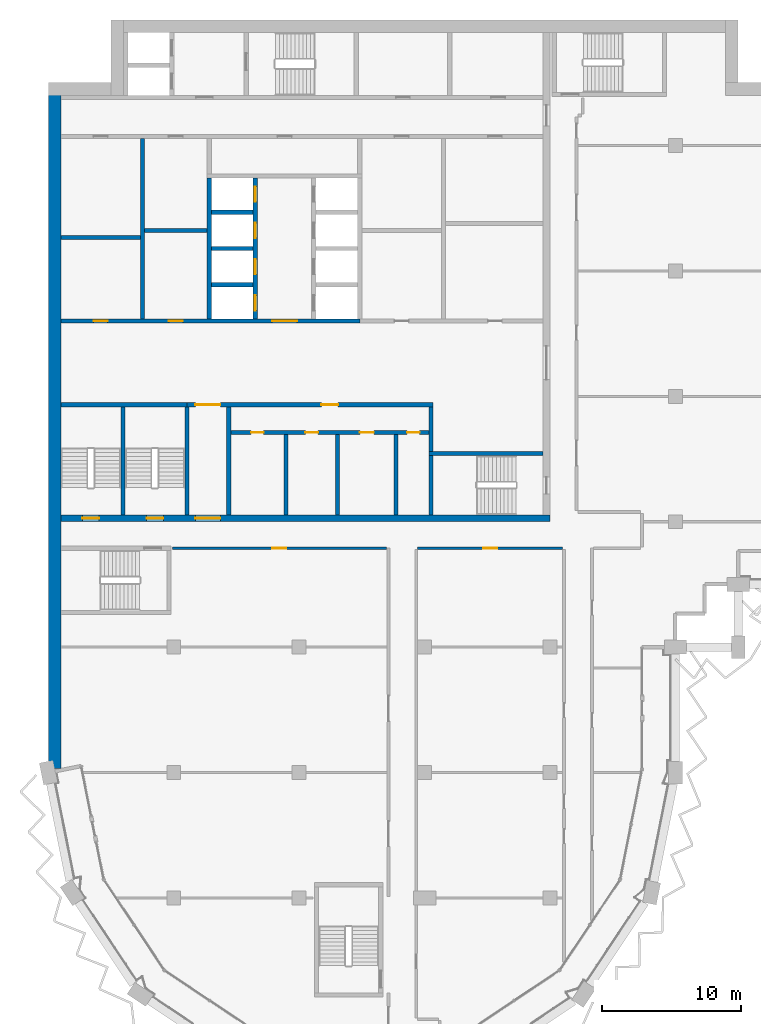
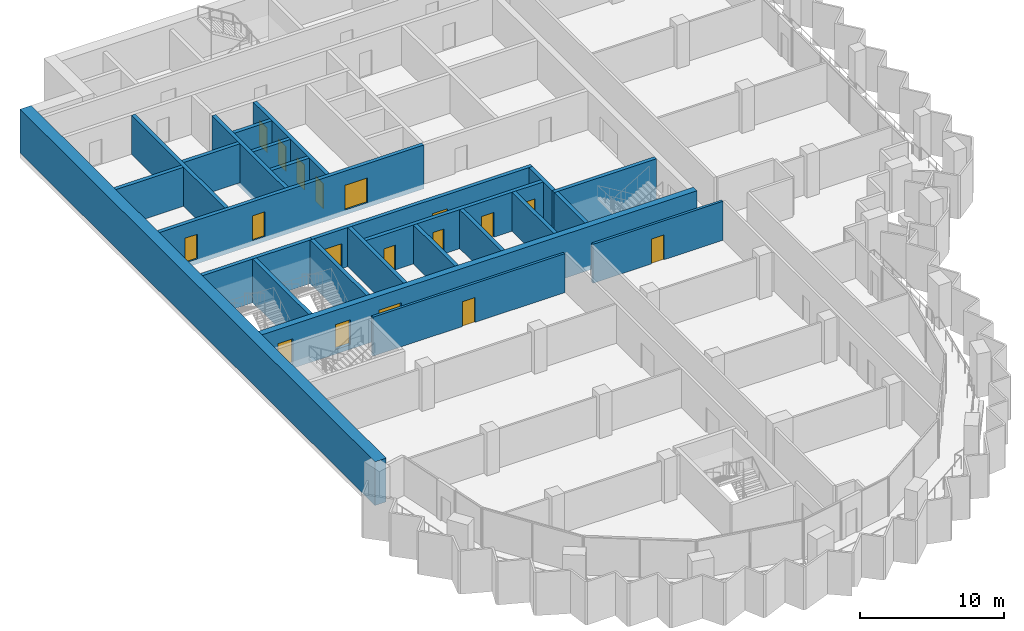
# One storey, part 8 of 16: 25 walls, 18 doors, 18 openings.
"""IFC4 building model written with IfcOpenShell, lengths in metres."""

from ifc_helpers import new_model, si_unit, direction, frame, frame_2d, origin, place, context, subcontext, project, spatial, rectangle, extrude, material, layer, layer_set, type_object, element, fill, save


model = new_model("IFC4")

# Units and contexts
model_context = context("Model", 3, precision=1e-05, world=origin(), true_north=direction((0.0, 1.0)))
body_context = subcontext(model_context, "Body", "Model", "MODEL_VIEW")
ifc_project = project(units=[si_unit("LENGTHUNIT", "METRE"), si_unit("AREAUNIT", "SQUARE_METRE"), si_unit("VOLUMEUNIT", "CUBIC_METRE"), si_unit("PLANEANGLEUNIT", "RADIAN"), si_unit("MASSUNIT", "GRAM", prefix="KILO")], contexts=[model_context])

# Site, building, storey
site_placement = place(None, origin())
site = spatial("IfcSite", under=ifc_project, at=site_placement, CompositionType="ELEMENT")
building_placement = place(site_placement, origin())
building = spatial("IfcBuilding", under=site, at=building_placement, Name="Hunhe Ridgeline Campus", CompositionType="ELEMENT")
storey_placement = place(building_placement, frame((0.0, 0.0, 235.5)))
storey = spatial("IfcBuildingStorey", under=building, at=storey_placement, Name="L60", CompositionType="ELEMENT", Elevation=235.5)

# Wall, openings, doors
ifc_material_1 = material(Name="Masonry concrete blockwork", Category="masonry")
ifc_layer_1 = layer(ifc_material_1, 0.300048828125)
ifc_layer_set_1 = layer_set([ifc_layer_1], Name="Core room partition 300 concrete block")
wall_type_1 = type_object("IfcWallType", Name="Core room partition 300 concrete block", PredefinedType="PARTITIONING", material=ifc_layer_set_1)
wall_1_placement = place(storey_placement, frame((13.10009765625, 69.39990234375, 0.0), z_axis=(0.0, 0.0, 1.0), x_axis=(1.0, 0.0, 0.0)))
wall_1 = element("IfcWall", 1, at=wall_1_placement, inside=storey, type_object=wall_type_1, Name="L60 core partition 7", PredefinedType="PARTITIONING", context=body_context, shape_type="SweptSolid", body=[
    extrude(rectangle(XDim=14.199951171875, YDim=0.300048828125, at=frame_2d((7.10009765625, 0.0))), origin(), (0.0, 0.0, 1.0), 3.300048828125),
])
opening_1_placement = place(wall_1_placement, frame((1.449951171875, 0.0, 0.0)))
opening_1 = element("IfcOpeningElement", 2, at=opening_1_placement, cuts=wall_1, Name="Opening CD8", PredefinedType="OPENING", context=body_context, shape_type="SweptSolid", body=[
    extrude(rectangle(XDim=0.89990234375, YDim=2.10009765625, at=frame_2d((0.449951171875, 1.050048828125))), frame((0.0, 0.14990234375, 0.0), z_axis=(0.0, -1.0, 0.0), x_axis=(1.0, 0.0, 0.0)), (0.0, 0.0, 1.0), 0.300048828125),
])
opening_2_placement = place(wall_1_placement, frame((5.35009765625, 0.0, 0.0)))
opening_2 = element("IfcOpeningElement", 3, at=opening_2_placement, cuts=wall_1, Name="Opening CD9", PredefinedType="OPENING", context=body_context, shape_type="SweptSolid", body=[
    extrude(rectangle(XDim=0.89990234375, YDim=2.10009765625, at=frame_2d((0.449951171875, 1.050048828125))), frame((0.0, 0.14990234375, 0.0), z_axis=(0.0, -1.0, 0.0), x_axis=(1.0, 0.0, 0.0)), (0.0, 0.0, 1.0), 0.300048828125),
])
opening_3_placement = place(wall_1_placement, frame((9.25, 0.0, 0.0)))
opening_3 = element("IfcOpeningElement", 4, at=opening_3_placement, cuts=wall_1, Name="Opening CD10", PredefinedType="OPENING", context=body_context, shape_type="SweptSolid", body=[
    extrude(rectangle(XDim=1.0, YDim=2.10009765625, at=frame_2d((0.5, 1.050048828125))), frame((0.0, 0.14990234375, 0.0), z_axis=(0.0, -1.0, 0.0), x_axis=(1.0, 0.0, 0.0)), (0.0, 0.0, 1.0), 0.300048828125),
])
opening_4_placement = place(wall_1_placement, frame((12.64990234375, 0.0, 0.0)))
opening_4 = element("IfcOpeningElement", 5, at=opening_4_placement, cuts=wall_1, Name="Opening CD11", PredefinedType="OPENING", context=body_context, shape_type="SweptSolid", body=[
    extrude(rectangle(XDim=0.89990234375, YDim=2.10009765625, at=frame_2d((0.449951171875, 1.050048828125))), frame((0.0, 0.14990234375, 0.0), z_axis=(0.0, -1.0, 0.0), x_axis=(1.0, 0.0, 0.0)), (0.0, 0.0, 1.0), 0.300048828125),
])
ifc_material_2 = material(Name="Solid core timber door leaf", Category="wood")
door_type_1 = type_object("IfcDoorType", Name="Timber door 1000x2100", OperationType="SINGLE_SWING_LEFT", PredefinedType="DOOR", material=ifc_material_2)
door_1_placement = place(opening_3_placement, frame((1.0, 0.0, 0.0), z_axis=(0.0, 0.0, 1.0), x_axis=(-1.0, 0.0, 0.0)))
door_1 = element("IfcDoor", 6, at=door_1_placement, inside=storey, type_object=door_type_1, Name="L60 door WC3", OperationType="SINGLE_SWING_LEFT", OverallHeight=2.10009765625, OverallWidth=1.0, PredefinedType="DOOR", context=body_context, shape_type="SweptSolid", body=[
    extrude(rectangle(XDim=1.0, YDim=2.10009765625, at=frame_2d((0.5, 1.050048828125))), frame((0.0, 0.02490234375, 0.0), z_axis=(0.0, -1.0, 0.0), x_axis=(1.0, 0.0, 0.0)), (0.0, 0.0, 1.0), 0.050048828125),
])
fill(opening_3, door_1)
door_type_2 = type_object("IfcDoorType", Name="Timber door 900x2100", OperationType="SINGLE_SWING_LEFT", PredefinedType="DOOR", material=ifc_material_2)
door_2_placement = place(opening_1_placement, frame((0.89990234375, 0.0, 0.0), z_axis=(0.0, 0.0, 1.0), x_axis=(-1.0, 0.0, 0.0)))
door_2 = element("IfcDoor", 7, at=door_2_placement, inside=storey, type_object=door_type_2, Name="L60 door WC1", OperationType="SINGLE_SWING_LEFT", OverallHeight=2.10009765625, OverallWidth=0.89990234375, PredefinedType="DOOR", context=body_context, shape_type="SweptSolid", body=[
    extrude(rectangle(XDim=0.89990234375, YDim=2.10009765625, at=frame_2d((0.449951171875, 1.050048828125))), frame((0.0, 0.02490234375, 0.0), z_axis=(0.0, -1.0, 0.0), x_axis=(1.0, 0.0, 0.0)), (0.0, 0.0, 1.0), 0.050048828125),
])
fill(opening_1, door_2)
door_3_placement = place(opening_2_placement, frame((0.89990234375, 0.0, 0.0), z_axis=(0.0, 0.0, 1.0), x_axis=(-1.0, 0.0, 0.0)))
door_3 = element("IfcDoor", 8, at=door_3_placement, inside=storey, type_object=door_type_2, Name="L60 door WC2", OperationType="SINGLE_SWING_RIGHT", OverallHeight=2.10009765625, OverallWidth=0.89990234375, PredefinedType="DOOR", context=body_context, shape_type="SweptSolid", body=[
    extrude(rectangle(XDim=0.89990234375, YDim=2.10009765625, at=frame_2d((0.449951171875, 1.050048828125))), frame((0.0, 0.02490234375, 0.0), z_axis=(0.0, -1.0, 0.0), x_axis=(1.0, 0.0, 0.0)), (0.0, 0.0, 1.0), 0.050048828125),
])
fill(opening_2, door_3)
door_4_placement = place(opening_4_placement, frame((0.89990234375, 0.0, 0.0), z_axis=(0.0, 0.0, 1.0), x_axis=(-1.0, 0.0, 0.0)))
door_4 = element("IfcDoor", 9, at=door_4_placement, inside=storey, type_object=door_type_2, Name="L60 door WC4", OperationType="SINGLE_SWING_RIGHT", OverallHeight=2.10009765625, OverallWidth=0.89990234375, PredefinedType="DOOR", context=body_context, shape_type="SweptSolid", body=[
    extrude(rectangle(XDim=0.89990234375, YDim=2.10009765625, at=frame_2d((0.449951171875, 1.050048828125))), frame((0.0, 0.02490234375, 0.0), z_axis=(0.0, -1.0, 0.0), x_axis=(1.0, 0.0, 0.0)), (0.0, 0.0, 1.0), 0.050048828125),
])
fill(opening_4, door_4)

wall_2_placement = place(storey_placement, frame((9.949951171875, 71.39990234375, 0.0), z_axis=(0.0, 0.0, 1.0), x_axis=(1.0, 0.0, 0.0)))
wall_2 = element("IfcWall", 10, at=wall_2_placement, inside=storey, type_object=wall_type_1, Name="L60 core partition 9", PredefinedType="PARTITIONING", context=body_context, shape_type="SweptSolid", body=[
    extrude(rectangle(XDim=17.650146484375, YDim=0.300048828125, at=frame_2d((8.8251953125, 0.0))), origin(), (0.0, 0.0, 1.0), 3.300048828125),
])
opening_5_placement = place(wall_2_placement, frame((0.60009765625, 0.0, 0.0)))
opening_5 = element("IfcOpeningElement", 11, at=opening_5_placement, cuts=wall_2, Name="Opening CD7", PredefinedType="OPENING", context=body_context, shape_type="SweptSolid", body=[
    extrude(rectangle(XDim=1.800048828125, YDim=2.10009765625, at=frame_2d((0.89990234375, 1.050048828125))), frame((0.0, 0.14990234375, 0.0), z_axis=(0.0, -1.0, 0.0), x_axis=(1.0, 0.0, 0.0)), (0.0, 0.0, 1.0), 0.300048828125),
])
opening_6_placement = place(wall_2_placement, frame((9.64990234375, 0.0, 0.0)))
opening_6 = element("IfcOpeningElement", 12, at=opening_6_placement, cuts=wall_2, Name="Opening CD12", PredefinedType="OPENING", context=body_context, shape_type="SweptSolid", body=[
    extrude(rectangle(XDim=1.199951171875, YDim=2.10009765625, at=frame_2d((0.60009765625, 1.050048828125))), frame((0.0, 0.14990234375, 0.0), z_axis=(0.0, -1.0, 0.0), x_axis=(1.0, 0.0, 0.0)), (0.0, 0.0, 1.0), 0.300048828125),
])
ifc_material_3 = material(Name="Anodised aluminium and glass", Category="aluminium")
door_type_3 = type_object("IfcDoorType", Name="Glazed double door 1800x2100", OperationType="DOUBLE_DOOR_SINGLE_SWING", PredefinedType="DOOR", material=ifc_material_3)
door_5_placement = place(opening_5_placement, origin())
door_5 = element("IfcDoor", 13, at=door_5_placement, inside=storey, type_object=door_type_3, Name="L60 door VEST-HALL", OperationType="DOUBLE_DOOR_SINGLE_SWING", OverallHeight=2.10009765625, OverallWidth=1.800048828125, PredefinedType="DOOR", context=body_context, shape_type="SweptSolid", body=[
    extrude(rectangle(XDim=1.800048828125, YDim=2.10009765625, at=frame_2d((0.89990234375, 1.050048828125))), frame((0.0, 0.02490234375, 0.0), z_axis=(0.0, -1.0, 0.0), x_axis=(1.0, 0.0, 0.0)), (0.0, 0.0, 1.0), 0.050048828125),
])
fill(opening_5, door_5)
door_type_4 = type_object("IfcDoorType", Name="Timber door 1200x2100", OperationType="SINGLE_SWING_LEFT", PredefinedType="DOOR", material=ifc_material_2)
door_6_placement = place(opening_6_placement, origin())
door_6 = element("IfcDoor", 14, at=door_6_placement, inside=storey, type_object=door_type_4, Name="L60 door WCL2-HALL", OperationType="SINGLE_SWING_RIGHT", OverallHeight=2.10009765625, OverallWidth=1.199951171875, PredefinedType="DOOR", context=body_context, shape_type="SweptSolid", body=[
    extrude(rectangle(XDim=1.199951171875, YDim=2.10009765625, at=frame_2d((0.60009765625, 1.050048828125))), frame((0.0, 0.02490234375, 0.0), z_axis=(0.0, -1.0, 0.0), x_axis=(1.0, 0.0, 0.0)), (0.0, 0.0, 1.0), 0.050048828125),
])
fill(opening_6, door_6)

# Walls
wall_3_placement = place(storey_placement, frame((0.89990234375, 83.39990234375, 0.0), z_axis=(0.0, 0.0, 1.0), x_axis=(1.0, 0.0, 0.0)))
element("IfcWall", 15, at=wall_3_placement, inside=storey, type_object=wall_type_1, Name="L60 core partition 16", PredefinedType="PARTITIONING", context=body_context, shape_type="SweptSolid", body=[
    extrude(rectangle(XDim=5.7001953125, YDim=0.300048828125, at=frame_2d((2.85009765625, 0.0))), origin(), (0.0, 0.0, 1.0), 3.300048828125),
])
wall_4_placement = place(storey_placement, frame((6.89990234375, 83.89990234375, 0.0), z_axis=(0.0, 0.0, 1.0), x_axis=(1.0, 0.0, 0.0)))
element("IfcWall", 16, at=wall_4_placement, inside=storey, type_object=wall_type_1, Name="L60 core partition 17", PredefinedType="PARTITIONING", context=body_context, shape_type="SweptSolid", body=[
    extrude(rectangle(XDim=4.5, YDim=0.300048828125, at=frame_2d((2.25, 0.0))), origin(), (0.0, 0.0, 1.0), 3.300048828125),
])
wall_5_placement = place(storey_placement, frame((6.75, 77.550048828125, 0.0), z_axis=(0.0, 0.0, 1.0), x_axis=(0.0, 1.0, 0.0)))
element("IfcWall", 17, at=wall_5_placement, inside=storey, type_object=wall_type_1, Name="L60 core partition 29", PredefinedType="PARTITIONING", context=body_context, shape_type="SweptSolid", body=[
    extrude(rectangle(XDim=12.949951171875, YDim=0.300048828125, at=frame_2d((6.47509765625, 0.0))), origin(), (0.0, 0.0, 1.0), 3.300048828125),
])
wall_6_placement = place(storey_placement, frame((12.949951171875, 63.5, 0.0), z_axis=(0.0, 0.0, 1.0), x_axis=(0.0, 1.0, 0.0)))
element("IfcWall", 18, at=wall_6_placement, inside=storey, type_object=wall_type_1, Name="L60 core partition 35", PredefinedType="PARTITIONING", context=body_context, shape_type="SweptSolid", body=[
    extrude(rectangle(XDim=7.75, YDim=0.300048828125, at=frame_2d((3.875, 0.0))), origin(), (0.0, 0.0, 1.0), 3.300048828125),
])
for number, where, z_axis, x_axis, name in (
    (19, (17.050048828125, 63.5, 0.0), (0.0, 0.0, 1.0), (0.0, 1.0, 0.0), "L60 core partition 38"),
    (20, (20.75, 63.5, 0.0), (0.0, 0.0, 1.0), (0.0, 1.0, 0.0), "L60 core partition 41"),
    (21, (24.949951171875, 63.5, 0.0), (0.0, 0.0, 1.0), (0.0, 1.0, 0.0), "L60 core partition 46"),
):
    element("IfcWall", number, at=place(storey_placement, frame(where, z_axis=z_axis, x_axis=x_axis)), inside=storey, type_object=wall_type_1, Name=name, PredefinedType="PARTITIONING", context=body_context, shape_type="SweptSolid", body=[
        extrude(rectangle(XDim=5.75, YDim=0.300048828125, at=frame_2d((2.875, 0.0))), origin(), (0.0, 0.0, 1.0), 3.300048828125),
    ])
wall_7_placement = place(storey_placement, frame((27.449951171875, 68.050048828125, 0.0), z_axis=(0.0, 0.0, 1.0), x_axis=(0.0, 1.0, 0.0)))
element("IfcWall", 22, at=wall_7_placement, inside=storey, type_object=wall_type_1, Name="L60 core partition 48", PredefinedType="PARTITIONING", context=body_context, shape_type="SweptSolid", body=[
    extrude(rectangle(XDim=3.199951171875, YDim=0.300048828125, at=frame_2d((1.60009765625, 0.0))), origin(), (0.0, 0.0, 1.0), 3.300048828125),
])

# Wall, openings, doors
ifc_material_4 = material(Name="Concrete C50", Category="concrete")
ifc_layer_2 = layer(ifc_material_4, 0.5)
ifc_layer_set_2 = layer_set([ifc_layer_2], Name="Core wall 500 reinforced concrete C50")
wall_type_2 = type_object("IfcWallType", Name="Core wall 500 reinforced concrete C50", PredefinedType="SOLIDWALL", material=ifc_layer_set_2)
wall_8_placement = place(storey_placement, frame((0.89990234375, 63.25, -0.39990234375), z_axis=(0.0, 0.0, 1.0), x_axis=(1.0, 0.0, 0.0)))
wall_8 = element("IfcWall", 23, at=wall_8_placement, inside=storey, type_object=wall_type_2, Name="L60 core wall 5", PredefinedType="SOLIDWALL", context=body_context, shape_type="SweptSolid", body=[
    extrude(rectangle(XDim=35.10009765625, YDim=0.5, at=frame_2d((17.550048828125, 0.0))), origin(), (0.0, 0.0, 1.0), 3.699951171875),
])
opening_7_placement = place(wall_8_placement, frame((9.64990234375, 0.0, 0.39990234375)))
opening_7 = element("IfcOpeningElement", 24, at=opening_7_placement, cuts=wall_8, Name="Opening CD6", PredefinedType="OPENING", context=body_context, shape_type="SweptSolid", body=[
    extrude(rectangle(XDim=1.800048828125, YDim=2.10009765625, at=frame_2d((0.89990234375, 1.050048828125))), frame((0.0, 0.25, 0.0), z_axis=(0.0, -1.0, 0.0), x_axis=(1.0, 0.0, 0.0)), (0.0, 0.0, 1.0), 0.5),
])
opening_8_placement = place(wall_8_placement, frame((1.550048828125, 0.0, 0.39990234375)))
opening_8 = element("IfcOpeningElement", 25, at=opening_8_placement, cuts=wall_8, Name="Opening CD13", PredefinedType="OPENING", context=body_context, shape_type="SweptSolid", body=[
    extrude(rectangle(XDim=1.199951171875, YDim=2.10009765625, at=frame_2d((0.60009765625, 1.050048828125))), frame((0.0, 0.25, 0.0), z_axis=(0.0, -1.0, 0.0), x_axis=(1.0, 0.0, 0.0)), (0.0, 0.0, 1.0), 0.5),
])
opening_9_placement = place(wall_8_placement, frame((6.14990234375, 0.0, 0.39990234375)))
opening_9 = element("IfcOpeningElement", 26, at=opening_9_placement, cuts=wall_8, Name="Opening CD14", PredefinedType="OPENING", context=body_context, shape_type="SweptSolid", body=[
    extrude(rectangle(XDim=1.199951171875, YDim=2.10009765625, at=frame_2d((0.60009765625, 1.050048828125))), frame((0.0, 0.25, 0.0), z_axis=(0.0, -1.0, 0.0), x_axis=(1.0, 0.0, 0.0)), (0.0, 0.0, 1.0), 0.5),
])
door_7_placement = place(opening_7_placement, frame((1.800048828125, 0.0, 0.0), z_axis=(0.0, 0.0, 1.0), x_axis=(-1.0, 0.0, 0.0)))
door_7 = element("IfcDoor", 27, at=door_7_placement, inside=storey, type_object=door_type_3, Name="L60 door VEST-FLOOR", OperationType="DOUBLE_DOOR_SINGLE_SWING", OverallHeight=2.10009765625, OverallWidth=1.800048828125, PredefinedType="DOOR", context=body_context, shape_type="SweptSolid", body=[
    extrude(rectangle(XDim=1.800048828125, YDim=2.10009765625, at=frame_2d((0.89990234375, 1.050048828125))), frame((0.0, 0.02490234375, 0.0), z_axis=(0.0, -1.0, 0.0), x_axis=(1.0, 0.0, 0.0)), (0.0, 0.0, 1.0), 0.050048828125),
])
fill(opening_7, door_7)
ifc_material_5 = material(Name="Hollow metal fire door leaf")
door_type_5 = type_object("IfcDoorType", Name="Stair door 1200x2100 FD60", OperationType="SINGLE_SWING_LEFT", PredefinedType="DOOR", material=ifc_material_5)
door_8_placement = place(opening_8_placement, frame((1.199951171875, 0.0, 0.0), z_axis=(0.0, 0.0, 1.0), x_axis=(-1.0, 0.0, 0.0)))
door_8 = element("IfcDoor", 28, at=door_8_placement, inside=storey, type_object=door_type_5, Name="L60 door S3", OperationType="SINGLE_SWING_LEFT", OverallHeight=2.10009765625, OverallWidth=1.199951171875, PredefinedType="DOOR", context=body_context, shape_type="SweptSolid", body=[
    extrude(rectangle(XDim=1.199951171875, YDim=2.10009765625, at=frame_2d((0.60009765625, 1.050048828125))), frame((0.0, 0.02490234375, 0.0), z_axis=(0.0, -1.0, 0.0), x_axis=(1.0, 0.0, 0.0)), (0.0, 0.0, 1.0), 0.050048828125),
])
fill(opening_8, door_8)
door_9_placement = place(opening_9_placement, frame((1.199951171875, 0.0, 0.0), z_axis=(0.0, 0.0, 1.0), x_axis=(-1.0, 0.0, 0.0)))
door_9 = element("IfcDoor", 29, at=door_9_placement, inside=storey, type_object=door_type_5, Name="L60 door S4", OperationType="SINGLE_SWING_RIGHT", OverallHeight=2.10009765625, OverallWidth=1.199951171875, PredefinedType="DOOR", context=body_context, shape_type="SweptSolid", body=[
    extrude(rectangle(XDim=1.199951171875, YDim=2.10009765625, at=frame_2d((0.60009765625, 1.050048828125))), frame((0.0, 0.02490234375, 0.0), z_axis=(0.0, -1.0, 0.0), x_axis=(1.0, 0.0, 0.0)), (0.0, 0.0, 1.0), 0.050048828125),
])
fill(opening_9, door_9)

# Wall, opening, door
ifc_material_6 = material(Name="Gypsum board partition")
ifc_layer_3 = layer(ifc_material_6, 0.199951171875)
ifc_layer_set_3 = layer_set([ifc_layer_3], Name="Corridor partition 200 gypsum board on steel studs")
wall_type_3 = type_object("IfcWallType", Name="Corridor partition 200 gypsum board on steel studs", PredefinedType="PARTITIONING", material=ifc_layer_set_3)
wall_9_placement = place(storey_placement, frame((24.265380859375, 61.10009765625, 0.0), z_axis=(0.0, 0.0, 1.0), x_axis=(-1.0, 0.0, 0.0)))
wall_9 = element("IfcWall", 30, at=wall_9_placement, inside=storey, type_object=wall_type_3, Name="F-L60-wall-019", PredefinedType="PARTITIONING", context=body_context, shape_type="SweptSolid", body=[
    extrude(rectangle(XDim=15.361328125, YDim=0.199951171875, at=frame_2d((7.6806640625, 0.0))), origin(), (0.0, 0.0, 1.0), 3.300048828125),
])
opening_10_placement = place(wall_9_placement, frame((7.1806640625, 0.0, 0.0)))
opening_10 = element("IfcOpeningElement", 31, at=opening_10_placement, cuts=wall_9, Name="Opening RD1-011", PredefinedType="OPENING", context=body_context, shape_type="SweptSolid", body=[
    extrude(rectangle(XDim=1.0, YDim=2.10009765625, at=frame_2d((0.5, 1.050048828125))), frame((0.0, 0.10009765625, 0.0), z_axis=(0.0, -1.0, 0.0), x_axis=(1.0, 0.0, 0.0)), (0.0, 0.0, 1.0), 0.199951171875),
])
ifc_material_7 = material(Name="Timber door leaf", Category="wood")
door_type_6 = type_object("IfcDoorType", Name="Single fire door 1000x2100 timber FD60", OperationType="NOTDEFINED", PredefinedType="DOOR", material=ifc_material_7)
door_10_placement = place(opening_10_placement, origin())
door_10 = element("IfcDoor", 32, at=door_10_placement, inside=storey, type_object=door_type_6, Name="F-L60-door-011", OperationType="SINGLE_SWING_LEFT", OverallHeight=2.10009765625, OverallWidth=1.0, PredefinedType="DOOR", context=body_context, shape_type="SweptSolid", body=[
    extrude(rectangle(XDim=1.0, YDim=2.10009765625, at=frame_2d((0.5, 1.050048828125))), frame((0.0, 0.02490234375, 0.0), z_axis=(0.0, -1.0, 0.0), x_axis=(1.0, 0.0, 0.0)), (0.0, 0.0, 1.0), 0.050048828125),
])
fill(opening_10, door_10)

wall_10_placement = place(storey_placement, frame((36.89990234375, 61.10009765625, 0.0), z_axis=(0.0, 0.0, 1.0), x_axis=(-1.0, 0.0, 0.0)))
wall_10 = element("IfcWall", 33, at=wall_10_placement, inside=storey, type_object=wall_type_3, Name="F-L60-wall-020", PredefinedType="PARTITIONING", context=body_context, shape_type="SweptSolid", body=[
    extrude(rectangle(XDim=10.39990234375, YDim=0.199951171875, at=frame_2d((5.199951171875, 0.0))), origin(), (0.0, 0.0, 1.0), 3.300048828125),
])
opening_11_placement = place(wall_10_placement, frame((4.699951171875, 0.0, 0.0)))
opening_11 = element("IfcOpeningElement", 34, at=opening_11_placement, cuts=wall_10, Name="Opening RD1-012", PredefinedType="OPENING", context=body_context, shape_type="SweptSolid", body=[
    extrude(rectangle(XDim=1.0, YDim=2.10009765625, at=frame_2d((0.5, 1.050048828125))), frame((0.0, 0.10009765625, 0.0), z_axis=(0.0, -1.0, 0.0), x_axis=(1.0, 0.0, 0.0)), (0.0, 0.0, 1.0), 0.199951171875),
])
door_11_placement = place(opening_11_placement, origin())
door_11 = element("IfcDoor", 35, at=door_11_placement, inside=storey, type_object=door_type_6, Name="F-L60-door-012", OperationType="SINGLE_SWING_LEFT", OverallHeight=2.10009765625, OverallWidth=1.0, PredefinedType="DOOR", context=body_context, shape_type="SweptSolid", body=[
    extrude(rectangle(XDim=1.0, YDim=2.10009765625, at=frame_2d((0.5, 1.050048828125))), frame((0.0, 0.02490234375, 0.0), z_axis=(0.0, -1.0, 0.0), x_axis=(1.0, 0.0, 0.0)), (0.0, 0.0, 1.0), 0.050048828125),
])
fill(opening_11, door_11)

# Wall, openings, doors
ifc_layer_4 = layer(ifc_material_4, 0.300048828125)
ifc_layer_set_4 = layer_set([ifc_layer_4], Name="Shaft wall 300 reinforced concrete C50")
wall_type_4 = type_object("IfcWallType", Name="Shaft wall 300 reinforced concrete C50", PredefinedType="SOLIDWALL", material=ifc_layer_set_4)
wall_11_placement = place(storey_placement, frame((0.89990234375, 77.39990234375, -0.39990234375), z_axis=(0.0, 0.0, 1.0), x_axis=(1.0, 0.0, 0.0)))
wall_11 = element("IfcWall", 36, at=wall_11_placement, inside=storey, type_object=wall_type_4, Name="L60 core wall 10", PredefinedType="SOLIDWALL", context=body_context, shape_type="SweptSolid", body=[
    extrude(rectangle(XDim=21.4501953125, YDim=0.300048828125, at=frame_2d((10.72509765625, 0.0))), origin(), (0.0, 0.0, 1.0), 3.699951171875),
])
opening_12_placement = place(wall_11_placement, frame((15.14990234375, 0.0, 0.39990234375)))
opening_12 = element("IfcOpeningElement", 37, at=opening_12_placement, cuts=wall_11, Name="Opening CD38", PredefinedType="OPENING", context=body_context, shape_type="SweptSolid", body=[
    extrude(rectangle(XDim=1.800048828125, YDim=2.10009765625, at=frame_2d((0.89990234375, 1.050048828125))), frame((0.0, 0.14990234375, 0.0), z_axis=(0.0, -1.0, 0.0), x_axis=(1.0, 0.0, 0.0)), (0.0, 0.0, 1.0), 0.300048828125),
])
opening_13_placement = place(wall_11_placement, frame((2.35009765625, 0.0, 0.39990234375)))
opening_13 = element("IfcOpeningElement", 38, at=opening_13_placement, cuts=wall_11, Name="Opening CD39", PredefinedType="OPENING", context=body_context, shape_type="SweptSolid", body=[
    extrude(rectangle(XDim=1.0, YDim=2.10009765625, at=frame_2d((0.5, 1.050048828125))), frame((0.0, 0.14990234375, 0.0), z_axis=(0.0, -1.0, 0.0), x_axis=(1.0, 0.0, 0.0)), (0.0, 0.0, 1.0), 0.300048828125),
])
opening_14_placement = place(wall_11_placement, frame((7.75, 0.0, 0.39990234375)))
opening_14 = element("IfcOpeningElement", 39, at=opening_14_placement, cuts=wall_11, Name="Opening CD41", PredefinedType="OPENING", context=body_context, shape_type="SweptSolid", body=[
    extrude(rectangle(XDim=1.0, YDim=2.10009765625, at=frame_2d((0.5, 1.050048828125))), frame((0.0, 0.14990234375, 0.0), z_axis=(0.0, -1.0, 0.0), x_axis=(1.0, 0.0, 0.0)), (0.0, 0.0, 1.0), 0.300048828125),
])
door_type_7 = type_object("IfcDoorType", Name="Lobby door 1800x2100 FD60", OperationType="SINGLE_SWING_LEFT", PredefinedType="DOOR", material=ifc_material_5)
door_12_placement = place(opening_12_placement, frame((1.800048828125, 0.0, 0.0), z_axis=(0.0, 0.0, 1.0), x_axis=(-1.0, 0.0, 0.0)))
door_12 = element("IfcDoor", 40, at=door_12_placement, inside=storey, type_object=door_type_7, Name="L60 door LOB-HR", OperationType="SINGLE_SWING_RIGHT", OverallHeight=2.10009765625, OverallWidth=1.800048828125, PredefinedType="DOOR", context=body_context, shape_type="SweptSolid", body=[
    extrude(rectangle(XDim=1.800048828125, YDim=2.10009765625, at=frame_2d((0.89990234375, 1.050048828125))), frame((0.0, 0.02490234375, 0.0), z_axis=(0.0, -1.0, 0.0), x_axis=(1.0, 0.0, 0.0)), (0.0, 0.0, 1.0), 0.050048828125),
])
fill(opening_12, door_12)
door_13_placement = place(opening_13_placement, origin())
door_13 = element("IfcDoor", 41, at=door_13_placement, inside=storey, type_object=door_type_1, Name="L60 door VD-LR0", OperationType="SINGLE_SWING_RIGHT", OverallHeight=2.10009765625, OverallWidth=1.0, PredefinedType="DOOR", context=body_context, shape_type="SweptSolid", body=[
    extrude(rectangle(XDim=1.0, YDim=2.10009765625, at=frame_2d((0.5, 1.050048828125))), frame((0.0, 0.02490234375, 0.0), z_axis=(0.0, -1.0, 0.0), x_axis=(1.0, 0.0, 0.0)), (0.0, 0.0, 1.0), 0.050048828125),
])
fill(opening_13, door_13)
door_14_placement = place(opening_14_placement, origin())
door_14 = element("IfcDoor", 42, at=door_14_placement, inside=storey, type_object=door_type_1, Name="L60 door VD-LR2", OperationType="SINGLE_SWING_RIGHT", OverallHeight=2.10009765625, OverallWidth=1.0, PredefinedType="DOOR", context=body_context, shape_type="SweptSolid", body=[
    extrude(rectangle(XDim=1.0, YDim=2.10009765625, at=frame_2d((0.5, 1.050048828125))), frame((0.0, 0.02490234375, 0.0), z_axis=(0.0, -1.0, 0.0), x_axis=(1.0, 0.0, 0.0)), (0.0, 0.0, 1.0), 0.050048828125),
])
fill(opening_14, door_14)

# Walls
for number, where, z_axis, x_axis, name in (
    (43, (11.699951171875, 80.0, -0.39990234375), (0.0, 0.0, 1.0), (1.0, 0.0, 0.0), "L60 core wall 12"),
    (44, (11.699951171875, 82.60009765625, -0.39990234375), (0.0, 0.0, 1.0), (1.0, 0.0, 0.0), "L60 core wall 14"),
    (45, (11.699951171875, 85.199951171875, -0.39990234375), (0.0, 0.0, 1.0), (1.0, 0.0, 0.0), "L60 core wall 20"),
):
    element("IfcWall", number, at=place(storey_placement, frame(where, z_axis=z_axis, x_axis=x_axis)), inside=storey, type_object=wall_type_4, Name=name, PredefinedType="SOLIDWALL", context=body_context, shape_type="SweptSolid", body=[
        extrude(rectangle(XDim=3.0, YDim=0.300048828125, at=frame_2d((1.5, 0.0))), origin(), (0.0, 0.0, 1.0), 3.699951171875),
    ])
wall_12_placement = place(storey_placement, frame((11.550048828125, 77.550048828125, -0.39990234375), z_axis=(0.0, 0.0, 1.0), x_axis=(0.0, 1.0, 0.0)))
element("IfcWall", 46, at=wall_12_placement, inside=storey, type_object=wall_type_4, Name="L60 core wall 33", PredefinedType="SOLIDWALL", context=body_context, shape_type="SweptSolid", body=[
    extrude(rectangle(XDim=10.099853515625, YDim=0.300048828125, at=frame_2d((5.0498046875, 0.0))), origin(), (0.0, 0.0, 1.0), 3.699951171875),
])

# Wall, openings, doors
wall_13_placement = place(storey_placement, frame((14.85009765625, 77.550048828125, -0.39990234375), z_axis=(0.0, 0.0, 1.0), x_axis=(0.0, 1.0, 0.0)))
wall_13 = element("IfcWall", 47, at=wall_13_placement, inside=storey, type_object=wall_type_4, Name="L60 core wall 37", PredefinedType="SOLIDWALL", context=body_context, shape_type="SweptSolid", body=[
    extrude(rectangle(XDim=10.099853515625, YDim=0.300048828125, at=frame_2d((5.0498046875, 0.0))), origin(), (0.0, 0.0, 1.0), 3.699951171875),
])
opening_15_placement = place(wall_13_placement, frame((0.60009765625, 0.0, 0.39990234375)))
opening_15 = element("IfcOpeningElement", 48, at=opening_15_placement, cuts=wall_13, Name="Opening LD-HR1", PredefinedType="OPENING", context=body_context, shape_type="SweptSolid", body=[
    extrude(rectangle(XDim=1.10009765625, YDim=2.10009765625, at=frame_2d((0.550048828125, 1.050048828125))), frame((0.0, 0.14990234375, 0.0), z_axis=(0.0, -1.0, 0.0), x_axis=(1.0, 0.0, 0.0)), (0.0, 0.0, 1.0), 0.300048828125),
])
opening_16_placement = place(wall_13_placement, frame((3.199951171875, 0.0, 0.39990234375)))
opening_16 = element("IfcOpeningElement", 49, at=opening_16_placement, cuts=wall_13, Name="Opening LD-HR2", PredefinedType="OPENING", context=body_context, shape_type="SweptSolid", body=[
    extrude(rectangle(XDim=1.10009765625, YDim=2.10009765625, at=frame_2d((0.550048828125, 1.050048828125))), frame((0.0, 0.14990234375, 0.0), z_axis=(0.0, -1.0, 0.0), x_axis=(1.0, 0.0, 0.0)), (0.0, 0.0, 1.0), 0.300048828125),
])
opening_17_placement = place(wall_13_placement, frame((5.800048828125, 0.0, 0.39990234375)))
opening_17 = element("IfcOpeningElement", 50, at=opening_17_placement, cuts=wall_13, Name="Opening LD-HR3", PredefinedType="OPENING", context=body_context, shape_type="SweptSolid", body=[
    extrude(rectangle(XDim=1.10009765625, YDim=2.10009765625, at=frame_2d((0.550048828125, 1.050048828125))), frame((0.0, 0.14990234375, 0.0), z_axis=(0.0, -1.0, 0.0), x_axis=(1.0, 0.0, 0.0)), (0.0, 0.0, 1.0), 0.300048828125),
])
opening_18_placement = place(wall_13_placement, frame((8.39990234375, 0.0, 0.39990234375)))
opening_18 = element("IfcOpeningElement", 51, at=opening_18_placement, cuts=wall_13, Name="Opening LD-HR4", PredefinedType="OPENING", context=body_context, shape_type="SweptSolid", body=[
    extrude(rectangle(XDim=1.10009765625, YDim=2.10009765625, at=frame_2d((0.550048828125, 1.050048828125))), frame((0.0, 0.14990234375, 0.0), z_axis=(0.0, -1.0, 0.0), x_axis=(1.0, 0.0, 0.0)), (0.0, 0.0, 1.0), 0.300048828125),
])
ifc_material_8 = material(Name="Stainless steel sliding leaves", Category="steel")
door_type_8 = type_object("IfcDoorType", Name="Landing door 1100x2100 FD120", OperationType="SLIDING_TO_LEFT", PredefinedType="DOOR", material=ifc_material_8)
door_15_placement = place(opening_15_placement, origin())
door_15 = element("IfcDoor", 52, at=door_15_placement, inside=storey, type_object=door_type_8, Name="L60 landing door HR1", OperationType="SLIDING_TO_RIGHT", OverallHeight=2.10009765625, OverallWidth=1.10009765625, PredefinedType="DOOR", context=body_context, shape_type="SweptSolid", body=[
    extrude(rectangle(XDim=1.10009765625, YDim=2.10009765625, at=frame_2d((0.550048828125, 1.050048828125))), frame((0.0, 0.02490234375, 0.0), z_axis=(0.0, -1.0, 0.0), x_axis=(1.0, 0.0, 0.0)), (0.0, 0.0, 1.0), 0.050048828125),
])
fill(opening_15, door_15)
door_16_placement = place(opening_16_placement, origin())
door_16 = element("IfcDoor", 53, at=door_16_placement, inside=storey, type_object=door_type_8, Name="L60 landing door HR2", OperationType="SLIDING_TO_LEFT", OverallHeight=2.10009765625, OverallWidth=1.10009765625, PredefinedType="DOOR", context=body_context, shape_type="SweptSolid", body=[
    extrude(rectangle(XDim=1.10009765625, YDim=2.10009765625, at=frame_2d((0.550048828125, 1.050048828125))), frame((0.0, 0.02490234375, 0.0), z_axis=(0.0, -1.0, 0.0), x_axis=(1.0, 0.0, 0.0)), (0.0, 0.0, 1.0), 0.050048828125),
])
fill(opening_16, door_16)
door_17_placement = place(opening_17_placement, origin())
door_17 = element("IfcDoor", 54, at=door_17_placement, inside=storey, type_object=door_type_8, Name="L60 landing door HR3", OperationType="SLIDING_TO_RIGHT", OverallHeight=2.10009765625, OverallWidth=1.10009765625, PredefinedType="DOOR", context=body_context, shape_type="SweptSolid", body=[
    extrude(rectangle(XDim=1.10009765625, YDim=2.10009765625, at=frame_2d((0.550048828125, 1.050048828125))), frame((0.0, 0.02490234375, 0.0), z_axis=(0.0, -1.0, 0.0), x_axis=(1.0, 0.0, 0.0)), (0.0, 0.0, 1.0), 0.050048828125),
])
fill(opening_17, door_17)
door_18_placement = place(opening_18_placement, origin())
door_18 = element("IfcDoor", 55, at=door_18_placement, inside=storey, type_object=door_type_8, Name="L60 landing door HR4", OperationType="SLIDING_TO_LEFT", OverallHeight=2.10009765625, OverallWidth=1.10009765625, PredefinedType="DOOR", context=body_context, shape_type="SweptSolid", body=[
    extrude(rectangle(XDim=1.10009765625, YDim=2.10009765625, at=frame_2d((0.550048828125, 1.050048828125))), frame((0.0, 0.02490234375, 0.0), z_axis=(0.0, -1.0, 0.0), x_axis=(1.0, 0.0, 0.0)), (0.0, 0.0, 1.0), 0.050048828125),
])
fill(opening_18, door_18)

# Walls
ifc_material_9 = material(Name="Concrete C60", Category="concrete")
ifc_layer_5 = layer(ifc_material_9, 0.89990234375)
ifc_layer_set_5 = layer_set([ifc_layer_5], Name="Spine wall 900 Concrete C60")
wall_type_5 = type_object("IfcWallType", Name="Spine wall 900 Concrete C60", PredefinedType="SHEAR", material=ifc_layer_set_5)
wall_14_placement = place(storey_placement, frame((0.449951171875, 94.5, 0.0), z_axis=(0.0, 0.0, 1.0), x_axis=(0.0, -1.0, 0.0)))
element("IfcWall", 56, at=wall_14_placement, inside=storey, type_object=wall_type_5, Name="Spine wall SW3-1 L60", PredefinedType="SHEAR", context=body_context, shape_type="SweptSolid", body=[
    extrude(rectangle(XDim=49.199462890625, YDim=0.89990234375, at=frame_2d((24.599609375, 0.0))), origin(), (0.0, 0.0, 1.0), 3.699951171875),
])
ifc_layer_6 = layer(ifc_material_4, 0.300048828125)
ifc_layer_set_6 = layer_set([ifc_layer_6], Name="Stair wall 300 reinforced concrete C50")
wall_type_6 = type_object("IfcWallType", Name="Stair wall 300 reinforced concrete C50", PredefinedType="SOLIDWALL", material=ifc_layer_set_6)
wall_15_placement = place(storey_placement, frame((27.300048828125, 67.89990234375, -0.39990234375), z_axis=(0.0, 0.0, 1.0), x_axis=(1.0, 0.0, 0.0)))
element("IfcWall", 57, at=wall_15_placement, inside=storey, type_object=wall_type_6, Name="L60 core wall 6", PredefinedType="SOLIDWALL", context=body_context, shape_type="SweptSolid", body=[
    extrude(rectangle(XDim=8.199951171875, YDim=0.300048828125, at=frame_2d((4.10009765625, 0.0))), origin(), (0.0, 0.0, 1.0), 3.699951171875),
])
wall_16_placement = place(storey_placement, frame((0.89990234375, 71.39990234375, -0.39990234375), z_axis=(0.0, 0.0, 1.0), x_axis=(1.0, 0.0, 0.0)))
element("IfcWall", 58, at=wall_16_placement, inside=storey, type_object=wall_type_6, Name="L60 core wall 8", PredefinedType="SOLIDWALL", context=body_context, shape_type="SweptSolid", body=[
    extrude(rectangle(XDim=9.050048828125, YDim=0.300048828125, at=frame_2d((4.52490234375, 0.0))), origin(), (0.0, 0.0, 1.0), 3.699951171875),
])
for number, where, z_axis, x_axis, name in (
    (59, (5.35009765625, 63.5, -0.39990234375), (0.0, 0.0, 1.0), (0.0, 1.0, 0.0), "L60 core wall 27"),
    (60, (9.949951171875, 63.5, -0.39990234375), (0.0, 0.0, 1.0), (0.0, 1.0, 0.0), "L60 core wall 32"),
):
    element("IfcWall", number, at=place(storey_placement, frame(where, z_axis=z_axis, x_axis=x_axis)), inside=storey, type_object=wall_type_6, Name=name, PredefinedType="SOLIDWALL", context=body_context, shape_type="SweptSolid", body=[
        extrude(rectangle(XDim=7.75, YDim=0.300048828125, at=frame_2d((3.875, 0.0))), origin(), (0.0, 0.0, 1.0), 3.699951171875),
    ])
wall_17_placement = place(storey_placement, frame((27.449951171875, 63.5, -0.39990234375), z_axis=(0.0, 0.0, 1.0), x_axis=(0.0, 1.0, 0.0)))
element("IfcWall", 61, at=wall_17_placement, inside=storey, type_object=wall_type_6, Name="L60 core wall 47", PredefinedType="SOLIDWALL", context=body_context, shape_type="SweptSolid", body=[
    extrude(rectangle(XDim=4.25, YDim=0.300048828125, at=frame_2d((2.125, 0.0))), origin(), (0.0, 0.0, 1.0), 3.699951171875),
])

save(model, "model.ifc")
